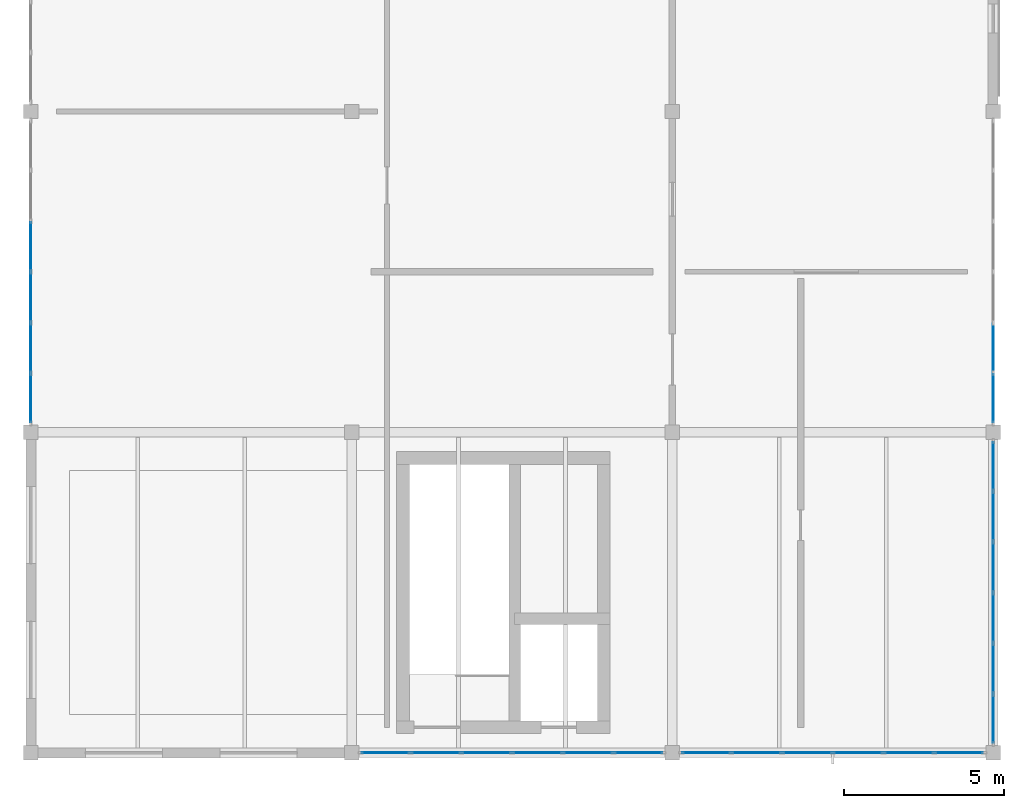
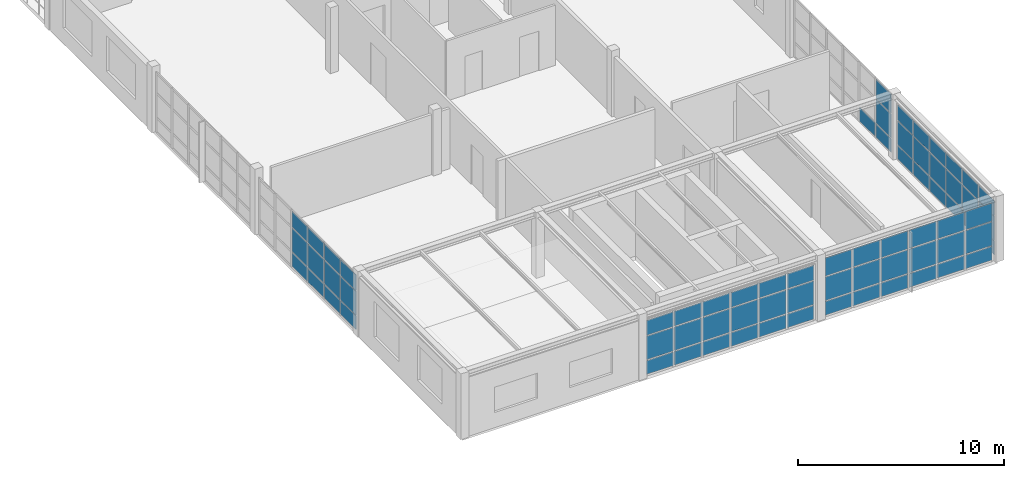
# One storey, part 7 of 11: 70 plates, 5 elements without a shape of their own.
"""IFC4 building model written with IfcOpenShell, lengths in metres."""

from ifc_helpers import new_model, si_unit, direction, frame, origin, origin_2d, place, context, subcontext, project, spatial, rectangle, extrude, material, layer, layer_set, type_object, element, aggregate, save


model = new_model("IFC4")

# Units and contexts
model_context = context("Model", 3, precision=1e-05, world=origin(), true_north=direction((0.0, 1.0)))
body_context = subcontext(model_context, "Body", "Model", "MODEL_VIEW")
ifc_project = project(units=[si_unit("LENGTHUNIT", "METRE"), si_unit("AREAUNIT", "SQUARE_METRE"), si_unit("VOLUMEUNIT", "CUBIC_METRE"), si_unit("PLANEANGLEUNIT", "RADIAN"), si_unit("MASSUNIT", "GRAM", prefix="KILO"), si_unit("THERMODYNAMICTEMPERATUREUNIT", "KELVIN"), si_unit("POWERUNIT", "WATT")], contexts=[model_context])

# Site, building, storey
site_placement = place(None, origin())
site = spatial("IfcSite", under=ifc_project, at=site_placement, CompositionType="ELEMENT")
building_placement = place(site_placement, origin())
building = spatial("IfcBuilding", under=site, at=building_placement, Name="Korenveer Ferry Terminal", CompositionType="ELEMENT")
storey_placement = place(building_placement, frame((0.0, 0.0, 18.300048828125)))
storey = spatial("IfcBuildingStorey", under=building, at=storey_placement, Name="L04", CompositionType="ELEMENT", Elevation=18.300048828125)

# Curtain wall, plates
ifc_material_1 = material(Name="Unitised bronze-and-glass curtain wall", Category="glass")
ifc_layer_1 = layer(ifc_material_1, 0.159912109375)
ifc_layer_set_1 = layer_set([ifc_layer_1], Name="Unitised bronze-and-glass curtain wall")
curtain_wall_type_1 = type_object("IfcCurtainWallType", Name="ENV-CW-129", PredefinedType="USERDEFINED", material=ifc_layer_set_1)
curtain_wall_1_placement = place(storey_placement, frame((10.2548828125, 20.0, 0.0)))
curtain_wall_1 = element("IfcCurtainWall", 1, at=curtain_wall_1_placement, inside=storey, type_object=curtain_wall_type_1, Name="Lancet curtain wall CWX-L04-X10-20-Y20-20", ObjectType="UNITISED CURTAIN WALL", PredefinedType="USERDEFINED")
ifc_material_2 = material(Name="Low-iron solar-control double glazing", Category="glass")
ifc_layer_2 = layer(ifc_material_2, 0.028076171875)
ifc_layer_set_2 = layer_set([ifc_layer_2], Name="Low-iron solar-control double glazing")
plate_type = type_object("IfcPlateType", Name="ENV-CWP-GLZ28", PredefinedType="CURTAIN_PANEL", material=ifc_layer_set_2)
plate_1_placement = place(storey_placement, frame((11.060791015625, 20.0, 0.059814453125), z_axis=(0.0, 0.0, 1.0), x_axis=(1.0, 0.0, 0.0)))
plate_1 = element("IfcPlate", 2, at=plate_1_placement, type_object=plate_type, Name="CW-129 panel 1.1", PredefinedType="CURTAIN_PANEL", context=body_context, shape_type="SweptSolid", body=[
    extrude(rectangle(XDim=1.49169921875, YDim=0.028076171875, at=origin_2d()), origin(), (0.0, 0.0, 1.0), 0.81005859375),
])
plate_2_placement = place(storey_placement, frame((11.060791015625, 20.0, 0.93017578125), z_axis=(0.0, 0.0, 1.0), x_axis=(1.0, 0.0, 0.0)))
plate_2 = element("IfcPlate", 3, at=plate_2_placement, type_object=plate_type, Name="CW-129 panel 1.2", PredefinedType="CURTAIN_PANEL", context=body_context, shape_type="SweptSolid", body=[
    extrude(rectangle(XDim=1.49169921875, YDim=0.028076171875, at=origin_2d()), origin(), (0.0, 0.0, 1.0), 1.389892578125),
])
plate_3_placement = place(storey_placement, frame((11.060791015625, 20.0, 2.3798828125), z_axis=(0.0, 0.0, 1.0), x_axis=(1.0, 0.0, 0.0)))
plate_3 = element("IfcPlate", 4, at=plate_3_placement, type_object=plate_type, Name="CW-129 panel 1.3", PredefinedType="CURTAIN_PANEL", context=body_context, shape_type="SweptSolid", body=[
    extrude(rectangle(XDim=1.49169921875, YDim=0.028076171875, at=origin_2d()), origin(), (0.0, 0.0, 1.0), 0.8701171875),
])
plate_4_placement = place(storey_placement, frame((12.62744140625, 20.0, 0.059814453125), z_axis=(0.0, 0.0, 1.0), x_axis=(1.0, 0.0, 0.0)))
plate_4 = element("IfcPlate", 5, at=plate_4_placement, type_object=plate_type, Name="CW-129 panel 2.1", PredefinedType="CURTAIN_PANEL", context=body_context, shape_type="SweptSolid", body=[
    extrude(rectangle(XDim=1.521728515625, YDim=0.028076171875, at=origin_2d()), origin(), (0.0, 0.0, 1.0), 0.81005859375),
])
plate_5_placement = place(storey_placement, frame((12.62744140625, 20.0, 0.93017578125), z_axis=(0.0, 0.0, 1.0), x_axis=(1.0, 0.0, 0.0)))
plate_5 = element("IfcPlate", 6, at=plate_5_placement, type_object=plate_type, Name="CW-129 panel 2.2", PredefinedType="CURTAIN_PANEL", context=body_context, shape_type="SweptSolid", body=[
    extrude(rectangle(XDim=1.521728515625, YDim=0.028076171875, at=origin_2d()), origin(), (0.0, 0.0, 1.0), 1.389892578125),
])
plate_6_placement = place(storey_placement, frame((12.62744140625, 20.0, 2.3798828125), z_axis=(0.0, 0.0, 1.0), x_axis=(1.0, 0.0, 0.0)))
plate_6 = element("IfcPlate", 7, at=plate_6_placement, type_object=plate_type, Name="CW-129 panel 2.3", PredefinedType="CURTAIN_PANEL", context=body_context, shape_type="SweptSolid", body=[
    extrude(rectangle(XDim=1.521728515625, YDim=0.028076171875, at=origin_2d()), origin(), (0.0, 0.0, 1.0), 0.8701171875),
])
plate_7_placement = place(storey_placement, frame((14.209228515625, 20.0, 0.059814453125), z_axis=(0.0, 0.0, 1.0), x_axis=(1.0, 0.0, 0.0)))
plate_7 = element("IfcPlate", 8, at=plate_7_placement, type_object=plate_type, Name="CW-129 panel 3.1", PredefinedType="CURTAIN_PANEL", context=body_context, shape_type="SweptSolid", body=[
    extrude(rectangle(XDim=1.521728515625, YDim=0.028076171875, at=origin_2d()), origin(), (0.0, 0.0, 1.0), 0.81005859375),
])
plate_8_placement = place(storey_placement, frame((14.209228515625, 20.0, 0.93017578125), z_axis=(0.0, 0.0, 1.0), x_axis=(1.0, 0.0, 0.0)))
plate_8 = element("IfcPlate", 9, at=plate_8_placement, type_object=plate_type, Name="CW-129 panel 3.2", PredefinedType="CURTAIN_PANEL", context=body_context, shape_type="SweptSolid", body=[
    extrude(rectangle(XDim=1.521728515625, YDim=0.028076171875, at=origin_2d()), origin(), (0.0, 0.0, 1.0), 1.389892578125),
])
plate_9_placement = place(storey_placement, frame((14.209228515625, 20.0, 2.3798828125), z_axis=(0.0, 0.0, 1.0), x_axis=(1.0, 0.0, 0.0)))
plate_9 = element("IfcPlate", 10, at=plate_9_placement, type_object=plate_type, Name="CW-129 panel 3.3", PredefinedType="CURTAIN_PANEL", context=body_context, shape_type="SweptSolid", body=[
    extrude(rectangle(XDim=1.521728515625, YDim=0.028076171875, at=origin_2d()), origin(), (0.0, 0.0, 1.0), 0.8701171875),
])
plate_10_placement = place(storey_placement, frame((15.790771484375, 20.0, 0.059814453125), z_axis=(0.0, 0.0, 1.0), x_axis=(1.0, 0.0, 0.0)))
plate_10 = element("IfcPlate", 11, at=plate_10_placement, type_object=plate_type, Name="CW-129 panel 4.1", PredefinedType="CURTAIN_PANEL", context=body_context, shape_type="SweptSolid", body=[
    extrude(rectangle(XDim=1.521728515625, YDim=0.028076171875, at=origin_2d()), origin(), (0.0, 0.0, 1.0), 0.81005859375),
])
plate_11_placement = place(storey_placement, frame((15.790771484375, 20.0, 0.93017578125), z_axis=(0.0, 0.0, 1.0), x_axis=(1.0, 0.0, 0.0)))
plate_11 = element("IfcPlate", 12, at=plate_11_placement, type_object=plate_type, Name="CW-129 panel 4.2", PredefinedType="CURTAIN_PANEL", context=body_context, shape_type="SweptSolid", body=[
    extrude(rectangle(XDim=1.521728515625, YDim=0.028076171875, at=origin_2d()), origin(), (0.0, 0.0, 1.0), 1.389892578125),
])
plate_12_placement = place(storey_placement, frame((15.790771484375, 20.0, 2.3798828125), z_axis=(0.0, 0.0, 1.0), x_axis=(1.0, 0.0, 0.0)))
plate_12 = element("IfcPlate", 13, at=plate_12_placement, type_object=plate_type, Name="CW-129 panel 4.3", PredefinedType="CURTAIN_PANEL", context=body_context, shape_type="SweptSolid", body=[
    extrude(rectangle(XDim=1.521728515625, YDim=0.028076171875, at=origin_2d()), origin(), (0.0, 0.0, 1.0), 0.8701171875),
])
plate_13_placement = place(storey_placement, frame((17.37255859375, 20.0, 0.059814453125), z_axis=(0.0, 0.0, 1.0), x_axis=(1.0, 0.0, 0.0)))
plate_13 = element("IfcPlate", 14, at=plate_13_placement, type_object=plate_type, Name="CW-129 panel 5.1", PredefinedType="CURTAIN_PANEL", context=body_context, shape_type="SweptSolid", body=[
    extrude(rectangle(XDim=1.521728515625, YDim=0.028076171875, at=origin_2d()), origin(), (0.0, 0.0, 1.0), 0.81005859375),
])
plate_14_placement = place(storey_placement, frame((17.37255859375, 20.0, 0.93017578125), z_axis=(0.0, 0.0, 1.0), x_axis=(1.0, 0.0, 0.0)))
plate_14 = element("IfcPlate", 15, at=plate_14_placement, type_object=plate_type, Name="CW-129 panel 5.2", PredefinedType="CURTAIN_PANEL", context=body_context, shape_type="SweptSolid", body=[
    extrude(rectangle(XDim=1.521728515625, YDim=0.028076171875, at=origin_2d()), origin(), (0.0, 0.0, 1.0), 1.389892578125),
])
plate_15_placement = place(storey_placement, frame((17.37255859375, 20.0, 2.3798828125), z_axis=(0.0, 0.0, 1.0), x_axis=(1.0, 0.0, 0.0)))
plate_15 = element("IfcPlate", 16, at=plate_15_placement, type_object=plate_type, Name="CW-129 panel 5.3", PredefinedType="CURTAIN_PANEL", context=body_context, shape_type="SweptSolid", body=[
    extrude(rectangle(XDim=1.521728515625, YDim=0.028076171875, at=origin_2d()), origin(), (0.0, 0.0, 1.0), 0.8701171875),
])
plate_16_placement = place(storey_placement, frame((18.939208984375, 20.0, 0.059814453125), z_axis=(0.0, 0.0, 1.0), x_axis=(1.0, 0.0, 0.0)))
plate_16 = element("IfcPlate", 17, at=plate_16_placement, type_object=plate_type, Name="CW-129 panel 6.1", PredefinedType="CURTAIN_PANEL", context=body_context, shape_type="SweptSolid", body=[
    extrude(rectangle(XDim=1.49169921875, YDim=0.028076171875, at=origin_2d()), origin(), (0.0, 0.0, 1.0), 0.81005859375),
])
plate_17_placement = place(storey_placement, frame((18.939208984375, 20.0, 0.93017578125), z_axis=(0.0, 0.0, 1.0), x_axis=(1.0, 0.0, 0.0)))
plate_17 = element("IfcPlate", 18, at=plate_17_placement, type_object=plate_type, Name="CW-129 panel 6.2", PredefinedType="CURTAIN_PANEL", context=body_context, shape_type="SweptSolid", body=[
    extrude(rectangle(XDim=1.49169921875, YDim=0.028076171875, at=origin_2d()), origin(), (0.0, 0.0, 1.0), 1.389892578125),
])
plate_18_placement = place(storey_placement, frame((18.939208984375, 20.0, 2.3798828125), z_axis=(0.0, 0.0, 1.0), x_axis=(1.0, 0.0, 0.0)))
plate_18 = element("IfcPlate", 19, at=plate_18_placement, type_object=plate_type, Name="CW-129 panel 6.3", PredefinedType="CURTAIN_PANEL", context=body_context, shape_type="SweptSolid", body=[
    extrude(rectangle(XDim=1.49169921875, YDim=0.028076171875, at=origin_2d()), origin(), (0.0, 0.0, 1.0), 0.8701171875),
])
aggregate(curtain_wall_1, [plate_1, plate_2, plate_3, plate_4, plate_5, plate_6, plate_7, plate_8, plate_9, plate_10, plate_11, plate_12, plate_13, plate_14, plate_15, plate_16, plate_17, plate_18])

ifc_layer_3 = layer(ifc_material_1, 0.159912109375)
ifc_layer_set_3 = layer_set([ifc_layer_3], Name="Unitised bronze-and-glass curtain wall")
curtain_wall_type_2 = type_object("IfcCurtainWallType", Name="ENV-CW-130", PredefinedType="USERDEFINED", material=ifc_layer_set_3)
curtain_wall_2_placement = place(storey_placement, frame((20.2548828125, 20.0, 0.0)))
curtain_wall_2 = element("IfcCurtainWall", 20, at=curtain_wall_2_placement, inside=storey, type_object=curtain_wall_type_2, Name="Lancet curtain wall CWX-L04-X20-30-Y20-20", ObjectType="UNITISED CURTAIN WALL", PredefinedType="USERDEFINED")
plate_19_placement = place(storey_placement, frame((21.060791015625, 20.0, 0.059814453125), z_axis=(0.0, 0.0, 1.0), x_axis=(1.0, 0.0, 0.0)))
plate_19 = element("IfcPlate", 21, at=plate_19_placement, type_object=plate_type, Name="CW-130 panel 1.1", PredefinedType="CURTAIN_PANEL", context=body_context, shape_type="SweptSolid", body=[
    extrude(rectangle(XDim=1.49169921875, YDim=0.028076171875, at=origin_2d()), origin(), (0.0, 0.0, 1.0), 0.81005859375),
])
plate_20_placement = place(storey_placement, frame((21.060791015625, 20.0, 0.93017578125), z_axis=(0.0, 0.0, 1.0), x_axis=(1.0, 0.0, 0.0)))
plate_20 = element("IfcPlate", 22, at=plate_20_placement, type_object=plate_type, Name="CW-130 panel 1.2", PredefinedType="CURTAIN_PANEL", context=body_context, shape_type="SweptSolid", body=[
    extrude(rectangle(XDim=1.49169921875, YDim=0.028076171875, at=origin_2d()), origin(), (0.0, 0.0, 1.0), 1.389892578125),
])
plate_21_placement = place(storey_placement, frame((21.060791015625, 20.0, 2.3798828125), z_axis=(0.0, 0.0, 1.0), x_axis=(1.0, 0.0, 0.0)))
plate_21 = element("IfcPlate", 23, at=plate_21_placement, type_object=plate_type, Name="CW-130 panel 1.3", PredefinedType="CURTAIN_PANEL", context=body_context, shape_type="SweptSolid", body=[
    extrude(rectangle(XDim=1.49169921875, YDim=0.028076171875, at=origin_2d()), origin(), (0.0, 0.0, 1.0), 1.070068359375),
])
plate_22_placement = place(storey_placement, frame((22.62744140625, 20.0, 0.059814453125), z_axis=(0.0, 0.0, 1.0), x_axis=(1.0, 0.0, 0.0)))
plate_22 = element("IfcPlate", 24, at=plate_22_placement, type_object=plate_type, Name="CW-130 panel 2.1", PredefinedType="CURTAIN_PANEL", context=body_context, shape_type="SweptSolid", body=[
    extrude(rectangle(XDim=1.521728515625, YDim=0.028076171875, at=origin_2d()), origin(), (0.0, 0.0, 1.0), 0.81005859375),
])
plate_23_placement = place(storey_placement, frame((22.62744140625, 20.0, 0.93017578125), z_axis=(0.0, 0.0, 1.0), x_axis=(1.0, 0.0, 0.0)))
plate_23 = element("IfcPlate", 25, at=plate_23_placement, type_object=plate_type, Name="CW-130 panel 2.2", PredefinedType="CURTAIN_PANEL", context=body_context, shape_type="SweptSolid", body=[
    extrude(rectangle(XDim=1.521728515625, YDim=0.028076171875, at=origin_2d()), origin(), (0.0, 0.0, 1.0), 1.389892578125),
])
plate_24_placement = place(storey_placement, frame((22.62744140625, 20.0, 2.3798828125), z_axis=(0.0, 0.0, 1.0), x_axis=(1.0, 0.0, 0.0)))
plate_24 = element("IfcPlate", 26, at=plate_24_placement, type_object=plate_type, Name="CW-130 panel 2.3", PredefinedType="CURTAIN_PANEL", context=body_context, shape_type="SweptSolid", body=[
    extrude(rectangle(XDim=1.521728515625, YDim=0.028076171875, at=origin_2d()), origin(), (0.0, 0.0, 1.0), 1.070068359375),
])
plate_25_placement = place(storey_placement, frame((24.209228515625, 20.0, 0.059814453125), z_axis=(0.0, 0.0, 1.0), x_axis=(1.0, 0.0, 0.0)))
plate_25 = element("IfcPlate", 27, at=plate_25_placement, type_object=plate_type, Name="CW-130 panel 3.1", PredefinedType="CURTAIN_PANEL", context=body_context, shape_type="SweptSolid", body=[
    extrude(rectangle(XDim=1.521728515625, YDim=0.028076171875, at=origin_2d()), origin(), (0.0, 0.0, 1.0), 0.81005859375),
])
plate_26_placement = place(storey_placement, frame((24.209228515625, 20.0, 0.93017578125), z_axis=(0.0, 0.0, 1.0), x_axis=(1.0, 0.0, 0.0)))
plate_26 = element("IfcPlate", 28, at=plate_26_placement, type_object=plate_type, Name="CW-130 panel 3.2", PredefinedType="CURTAIN_PANEL", context=body_context, shape_type="SweptSolid", body=[
    extrude(rectangle(XDim=1.521728515625, YDim=0.028076171875, at=origin_2d()), origin(), (0.0, 0.0, 1.0), 1.389892578125),
])
plate_27_placement = place(storey_placement, frame((24.209228515625, 20.0, 2.3798828125), z_axis=(0.0, 0.0, 1.0), x_axis=(1.0, 0.0, 0.0)))
plate_27 = element("IfcPlate", 29, at=plate_27_placement, type_object=plate_type, Name="CW-130 panel 3.3", PredefinedType="CURTAIN_PANEL", context=body_context, shape_type="SweptSolid", body=[
    extrude(rectangle(XDim=1.521728515625, YDim=0.028076171875, at=origin_2d()), origin(), (0.0, 0.0, 1.0), 1.070068359375),
])
plate_28_placement = place(storey_placement, frame((25.790771484375, 20.0, 0.059814453125), z_axis=(0.0, 0.0, 1.0), x_axis=(1.0, 0.0, 0.0)))
plate_28 = element("IfcPlate", 30, at=plate_28_placement, type_object=plate_type, Name="CW-130 panel 4.1", PredefinedType="CURTAIN_PANEL", context=body_context, shape_type="SweptSolid", body=[
    extrude(rectangle(XDim=1.521728515625, YDim=0.028076171875, at=origin_2d()), origin(), (0.0, 0.0, 1.0), 0.81005859375),
])
plate_29_placement = place(storey_placement, frame((25.790771484375, 20.0, 0.93017578125), z_axis=(0.0, 0.0, 1.0), x_axis=(1.0, 0.0, 0.0)))
plate_29 = element("IfcPlate", 31, at=plate_29_placement, type_object=plate_type, Name="CW-130 panel 4.2", PredefinedType="CURTAIN_PANEL", context=body_context, shape_type="SweptSolid", body=[
    extrude(rectangle(XDim=1.521728515625, YDim=0.028076171875, at=origin_2d()), origin(), (0.0, 0.0, 1.0), 1.389892578125),
])
plate_30_placement = place(storey_placement, frame((25.790771484375, 20.0, 2.3798828125), z_axis=(0.0, 0.0, 1.0), x_axis=(1.0, 0.0, 0.0)))
plate_30 = element("IfcPlate", 32, at=plate_30_placement, type_object=plate_type, Name="CW-130 panel 4.3", PredefinedType="CURTAIN_PANEL", context=body_context, shape_type="SweptSolid", body=[
    extrude(rectangle(XDim=1.521728515625, YDim=0.028076171875, at=origin_2d()), origin(), (0.0, 0.0, 1.0), 1.070068359375),
])
plate_31_placement = place(storey_placement, frame((27.37255859375, 20.0, 0.059814453125), z_axis=(0.0, 0.0, 1.0), x_axis=(1.0, 0.0, 0.0)))
plate_31 = element("IfcPlate", 33, at=plate_31_placement, type_object=plate_type, Name="CW-130 panel 5.1", PredefinedType="CURTAIN_PANEL", context=body_context, shape_type="SweptSolid", body=[
    extrude(rectangle(XDim=1.521728515625, YDim=0.028076171875, at=origin_2d()), origin(), (0.0, 0.0, 1.0), 0.81005859375),
])
plate_32_placement = place(storey_placement, frame((27.37255859375, 20.0, 0.93017578125), z_axis=(0.0, 0.0, 1.0), x_axis=(1.0, 0.0, 0.0)))
plate_32 = element("IfcPlate", 34, at=plate_32_placement, type_object=plate_type, Name="CW-130 panel 5.2", PredefinedType="CURTAIN_PANEL", context=body_context, shape_type="SweptSolid", body=[
    extrude(rectangle(XDim=1.521728515625, YDim=0.028076171875, at=origin_2d()), origin(), (0.0, 0.0, 1.0), 1.389892578125),
])
plate_33_placement = place(storey_placement, frame((27.37255859375, 20.0, 2.3798828125), z_axis=(0.0, 0.0, 1.0), x_axis=(1.0, 0.0, 0.0)))
plate_33 = element("IfcPlate", 35, at=plate_33_placement, type_object=plate_type, Name="CW-130 panel 5.3", PredefinedType="CURTAIN_PANEL", context=body_context, shape_type="SweptSolid", body=[
    extrude(rectangle(XDim=1.521728515625, YDim=0.028076171875, at=origin_2d()), origin(), (0.0, 0.0, 1.0), 1.070068359375),
])
plate_34_placement = place(storey_placement, frame((28.939208984375, 20.0, 0.059814453125), z_axis=(0.0, 0.0, 1.0), x_axis=(1.0, 0.0, 0.0)))
plate_34 = element("IfcPlate", 36, at=plate_34_placement, type_object=plate_type, Name="CW-130 panel 6.1", PredefinedType="CURTAIN_PANEL", context=body_context, shape_type="SweptSolid", body=[
    extrude(rectangle(XDim=1.49169921875, YDim=0.028076171875, at=origin_2d()), origin(), (0.0, 0.0, 1.0), 0.81005859375),
])
plate_35_placement = place(storey_placement, frame((28.939208984375, 20.0, 0.93017578125), z_axis=(0.0, 0.0, 1.0), x_axis=(1.0, 0.0, 0.0)))
plate_35 = element("IfcPlate", 37, at=plate_35_placement, type_object=plate_type, Name="CW-130 panel 6.2", PredefinedType="CURTAIN_PANEL", context=body_context, shape_type="SweptSolid", body=[
    extrude(rectangle(XDim=1.49169921875, YDim=0.028076171875, at=origin_2d()), origin(), (0.0, 0.0, 1.0), 1.389892578125),
])
plate_36_placement = place(storey_placement, frame((28.939208984375, 20.0, 2.3798828125), z_axis=(0.0, 0.0, 1.0), x_axis=(1.0, 0.0, 0.0)))
plate_36 = element("IfcPlate", 38, at=plate_36_placement, type_object=plate_type, Name="CW-130 panel 6.3", PredefinedType="CURTAIN_PANEL", context=body_context, shape_type="SweptSolid", body=[
    extrude(rectangle(XDim=1.49169921875, YDim=0.028076171875, at=origin_2d()), origin(), (0.0, 0.0, 1.0), 1.070068359375),
])
aggregate(curtain_wall_2, [plate_19, plate_20, plate_21, plate_22, plate_23, plate_24, plate_25, plate_26, plate_27, plate_28, plate_29, plate_30, plate_31, plate_32, plate_33, plate_34, plate_35, plate_36])

ifc_layer_4 = layer(ifc_material_1, 0.159912109375)
ifc_layer_set_4 = layer_set([ifc_layer_4], Name="Unitised bronze-and-glass curtain wall")
curtain_wall_type_3 = type_object("IfcCurtainWallType", Name="ENV-CW-131", PredefinedType="USERDEFINED", material=ifc_layer_set_4)
curtain_wall_3_placement = place(storey_placement, frame((0.0, 30.2548828125, 0.0)))
curtain_wall_3 = element("IfcCurtainWall", 39, at=curtain_wall_3_placement, inside=storey, type_object=curtain_wall_type_3, Name="Lancet curtain wall CWX-L04-X0-0-Y30-40", ObjectType="UNITISED CURTAIN WALL", PredefinedType="USERDEFINED")
plate_37_placement = place(storey_placement, frame((0.0, 31.060791015625, 0.059814453125), z_axis=(0.0, 0.0, 1.0), x_axis=(0.0, 1.0, 0.0)))
plate_37 = element("IfcPlate", 40, at=plate_37_placement, type_object=plate_type, Name="CW-131 panel 1.1", PredefinedType="CURTAIN_PANEL", context=body_context, shape_type="SweptSolid", body=[
    extrude(rectangle(XDim=1.49169921875, YDim=0.028076171875, at=origin_2d()), origin(), (0.0, 0.0, 1.0), 0.81005859375),
])
plate_38_placement = place(storey_placement, frame((0.0, 31.060791015625, 0.93017578125), z_axis=(0.0, 0.0, 1.0), x_axis=(0.0, 1.0, 0.0)))
plate_38 = element("IfcPlate", 41, at=plate_38_placement, type_object=plate_type, Name="CW-131 panel 1.2", PredefinedType="CURTAIN_PANEL", context=body_context, shape_type="SweptSolid", body=[
    extrude(rectangle(XDim=1.49169921875, YDim=0.028076171875, at=origin_2d()), origin(), (0.0, 0.0, 1.0), 1.389892578125),
])
plate_39_placement = place(storey_placement, frame((0.0, 31.060791015625, 2.3798828125), z_axis=(0.0, 0.0, 1.0), x_axis=(0.0, 1.0, 0.0)))
plate_39 = element("IfcPlate", 42, at=plate_39_placement, type_object=plate_type, Name="CW-131 panel 1.3", PredefinedType="CURTAIN_PANEL", context=body_context, shape_type="SweptSolid", body=[
    extrude(rectangle(XDim=1.49169921875, YDim=0.028076171875, at=origin_2d()), origin(), (0.0, 0.0, 1.0), 0.919921875),
])
plate_40_placement = place(storey_placement, frame((0.0, 32.62744140625, 0.059814453125), z_axis=(0.0, 0.0, 1.0), x_axis=(0.0, 1.0, 0.0)))
plate_40 = element("IfcPlate", 43, at=plate_40_placement, type_object=plate_type, Name="CW-131 panel 2.1", PredefinedType="CURTAIN_PANEL", context=body_context, shape_type="SweptSolid", body=[
    extrude(rectangle(XDim=1.521728515625, YDim=0.028076171875, at=origin_2d()), origin(), (0.0, 0.0, 1.0), 0.81005859375),
])
plate_41_placement = place(storey_placement, frame((0.0, 32.62744140625, 0.93017578125), z_axis=(0.0, 0.0, 1.0), x_axis=(0.0, 1.0, 0.0)))
plate_41 = element("IfcPlate", 44, at=plate_41_placement, type_object=plate_type, Name="CW-131 panel 2.2", PredefinedType="CURTAIN_PANEL", context=body_context, shape_type="SweptSolid", body=[
    extrude(rectangle(XDim=1.521728515625, YDim=0.028076171875, at=origin_2d()), origin(), (0.0, 0.0, 1.0), 1.389892578125),
])
plate_42_placement = place(storey_placement, frame((0.0, 32.62744140625, 2.3798828125), z_axis=(0.0, 0.0, 1.0), x_axis=(0.0, 1.0, 0.0)))
plate_42 = element("IfcPlate", 45, at=plate_42_placement, type_object=plate_type, Name="CW-131 panel 2.3", PredefinedType="CURTAIN_PANEL", context=body_context, shape_type="SweptSolid", body=[
    extrude(rectangle(XDim=1.521728515625, YDim=0.028076171875, at=origin_2d()), origin(), (0.0, 0.0, 1.0), 0.919921875),
])
plate_43_placement = place(storey_placement, frame((0.0, 34.209228515625, 0.059814453125), z_axis=(0.0, 0.0, 1.0), x_axis=(0.0, 1.0, 0.0)))
plate_43 = element("IfcPlate", 46, at=plate_43_placement, type_object=plate_type, Name="CW-131 panel 3.1", PredefinedType="CURTAIN_PANEL", context=body_context, shape_type="SweptSolid", body=[
    extrude(rectangle(XDim=1.521728515625, YDim=0.028076171875, at=origin_2d()), origin(), (0.0, 0.0, 1.0), 0.81005859375),
])
plate_44_placement = place(storey_placement, frame((0.0, 34.209228515625, 0.93017578125), z_axis=(0.0, 0.0, 1.0), x_axis=(0.0, 1.0, 0.0)))
plate_44 = element("IfcPlate", 47, at=plate_44_placement, type_object=plate_type, Name="CW-131 panel 3.2", PredefinedType="CURTAIN_PANEL", context=body_context, shape_type="SweptSolid", body=[
    extrude(rectangle(XDim=1.521728515625, YDim=0.028076171875, at=origin_2d()), origin(), (0.0, 0.0, 1.0), 1.389892578125),
])
plate_45_placement = place(storey_placement, frame((0.0, 34.209228515625, 2.3798828125), z_axis=(0.0, 0.0, 1.0), x_axis=(0.0, 1.0, 0.0)))
plate_45 = element("IfcPlate", 48, at=plate_45_placement, type_object=plate_type, Name="CW-131 panel 3.3", PredefinedType="CURTAIN_PANEL", context=body_context, shape_type="SweptSolid", body=[
    extrude(rectangle(XDim=1.521728515625, YDim=0.028076171875, at=origin_2d()), origin(), (0.0, 0.0, 1.0), 0.919921875),
])
plate_46_placement = place(storey_placement, frame((0.0, 35.790771484375, 0.059814453125), z_axis=(0.0, 0.0, 1.0), x_axis=(0.0, 1.0, 0.0)))
plate_46 = element("IfcPlate", 49, at=plate_46_placement, type_object=plate_type, Name="CW-131 panel 4.1", PredefinedType="CURTAIN_PANEL", context=body_context, shape_type="SweptSolid", body=[
    extrude(rectangle(XDim=1.521728515625, YDim=0.028076171875, at=origin_2d()), origin(), (0.0, 0.0, 1.0), 0.81005859375),
])
plate_47_placement = place(storey_placement, frame((0.0, 35.790771484375, 0.93017578125), z_axis=(0.0, 0.0, 1.0), x_axis=(0.0, 1.0, 0.0)))
plate_47 = element("IfcPlate", 50, at=plate_47_placement, type_object=plate_type, Name="CW-131 panel 4.2", PredefinedType="CURTAIN_PANEL", context=body_context, shape_type="SweptSolid", body=[
    extrude(rectangle(XDim=1.521728515625, YDim=0.028076171875, at=origin_2d()), origin(), (0.0, 0.0, 1.0), 1.389892578125),
])
plate_48_placement = place(storey_placement, frame((0.0, 35.790771484375, 2.3798828125), z_axis=(0.0, 0.0, 1.0), x_axis=(0.0, 1.0, 0.0)))
plate_48 = element("IfcPlate", 51, at=plate_48_placement, type_object=plate_type, Name="CW-131 panel 4.3", PredefinedType="CURTAIN_PANEL", context=body_context, shape_type="SweptSolid", body=[
    extrude(rectangle(XDim=1.521728515625, YDim=0.028076171875, at=origin_2d()), origin(), (0.0, 0.0, 1.0), 0.919921875),
])
aggregate(curtain_wall_3, [plate_37, plate_38, plate_39, plate_40, plate_41, plate_42, plate_43, plate_44, plate_45, plate_46, plate_47, plate_48])

curtain_wall_4_placement = place(storey_placement, frame((30.0, 29.7451171875, 0.0)))
curtain_wall_4 = element("IfcCurtainWall", 52, at=curtain_wall_4_placement, inside=storey, type_object=curtain_wall_type_1, Name="Lancet curtain wall CWX-L04-X30-30-Y20-30", ObjectType="UNITISED CURTAIN WALL", PredefinedType="USERDEFINED")
plate_49_placement = place(storey_placement, frame((30.0, 28.939208984375, 0.059814453125), z_axis=(0.0, 0.0, 1.0), x_axis=(0.0, -1.0, 0.0)))
plate_49 = element("IfcPlate", 53, at=plate_49_placement, type_object=plate_type, Name="CW-129 panel 1.1", PredefinedType="CURTAIN_PANEL", context=body_context, shape_type="SweptSolid", body=[
    extrude(rectangle(XDim=1.49169921875, YDim=0.028076171875, at=origin_2d()), origin(), (0.0, 0.0, 1.0), 0.81005859375),
])
plate_50_placement = place(storey_placement, frame((30.0, 28.939208984375, 0.93017578125), z_axis=(0.0, 0.0, 1.0), x_axis=(0.0, -1.0, 0.0)))
plate_50 = element("IfcPlate", 54, at=plate_50_placement, type_object=plate_type, Name="CW-129 panel 1.2", PredefinedType="CURTAIN_PANEL", context=body_context, shape_type="SweptSolid", body=[
    extrude(rectangle(XDim=1.49169921875, YDim=0.028076171875, at=origin_2d()), origin(), (0.0, 0.0, 1.0), 1.389892578125),
])
plate_51_placement = place(storey_placement, frame((30.0, 28.939208984375, 2.3798828125), z_axis=(0.0, 0.0, 1.0), x_axis=(0.0, -1.0, 0.0)))
plate_51 = element("IfcPlate", 55, at=plate_51_placement, type_object=plate_type, Name="CW-129 panel 1.3", PredefinedType="CURTAIN_PANEL", context=body_context, shape_type="SweptSolid", body=[
    extrude(rectangle(XDim=1.49169921875, YDim=0.028076171875, at=origin_2d()), origin(), (0.0, 0.0, 1.0), 0.8701171875),
])
plate_52_placement = place(storey_placement, frame((30.0, 27.37255859375, 0.059814453125), z_axis=(0.0, 0.0, 1.0), x_axis=(0.0, -1.0, 0.0)))
plate_52 = element("IfcPlate", 56, at=plate_52_placement, type_object=plate_type, Name="CW-129 panel 2.1", PredefinedType="CURTAIN_PANEL", context=body_context, shape_type="SweptSolid", body=[
    extrude(rectangle(XDim=1.521728515625, YDim=0.028076171875, at=origin_2d()), origin(), (0.0, 0.0, 1.0), 0.81005859375),
])
plate_53_placement = place(storey_placement, frame((30.0, 27.37255859375, 0.93017578125), z_axis=(0.0, 0.0, 1.0), x_axis=(0.0, -1.0, 0.0)))
plate_53 = element("IfcPlate", 57, at=plate_53_placement, type_object=plate_type, Name="CW-129 panel 2.2", PredefinedType="CURTAIN_PANEL", context=body_context, shape_type="SweptSolid", body=[
    extrude(rectangle(XDim=1.521728515625, YDim=0.028076171875, at=origin_2d()), origin(), (0.0, 0.0, 1.0), 1.389892578125),
])
plate_54_placement = place(storey_placement, frame((30.0, 27.37255859375, 2.3798828125), z_axis=(0.0, 0.0, 1.0), x_axis=(0.0, -1.0, 0.0)))
plate_54 = element("IfcPlate", 58, at=plate_54_placement, type_object=plate_type, Name="CW-129 panel 2.3", PredefinedType="CURTAIN_PANEL", context=body_context, shape_type="SweptSolid", body=[
    extrude(rectangle(XDim=1.521728515625, YDim=0.028076171875, at=origin_2d()), origin(), (0.0, 0.0, 1.0), 0.8701171875),
])
plate_55_placement = place(storey_placement, frame((30.0, 25.790771484375, 0.059814453125), z_axis=(0.0, 0.0, 1.0), x_axis=(0.0, -1.0, 0.0)))
plate_55 = element("IfcPlate", 59, at=plate_55_placement, type_object=plate_type, Name="CW-129 panel 3.1", PredefinedType="CURTAIN_PANEL", context=body_context, shape_type="SweptSolid", body=[
    extrude(rectangle(XDim=1.521728515625, YDim=0.028076171875, at=origin_2d()), origin(), (0.0, 0.0, 1.0), 0.81005859375),
])
plate_56_placement = place(storey_placement, frame((30.0, 25.790771484375, 0.93017578125), z_axis=(0.0, 0.0, 1.0), x_axis=(0.0, -1.0, 0.0)))
plate_56 = element("IfcPlate", 60, at=plate_56_placement, type_object=plate_type, Name="CW-129 panel 3.2", PredefinedType="CURTAIN_PANEL", context=body_context, shape_type="SweptSolid", body=[
    extrude(rectangle(XDim=1.521728515625, YDim=0.028076171875, at=origin_2d()), origin(), (0.0, 0.0, 1.0), 1.389892578125),
])
plate_57_placement = place(storey_placement, frame((30.0, 25.790771484375, 2.3798828125), z_axis=(0.0, 0.0, 1.0), x_axis=(0.0, -1.0, 0.0)))
plate_57 = element("IfcPlate", 61, at=plate_57_placement, type_object=plate_type, Name="CW-129 panel 3.3", PredefinedType="CURTAIN_PANEL", context=body_context, shape_type="SweptSolid", body=[
    extrude(rectangle(XDim=1.521728515625, YDim=0.028076171875, at=origin_2d()), origin(), (0.0, 0.0, 1.0), 0.8701171875),
])
plate_58_placement = place(storey_placement, frame((30.0, 24.209228515625, 0.059814453125), z_axis=(0.0, 0.0, 1.0), x_axis=(0.0, -1.0, 0.0)))
plate_58 = element("IfcPlate", 62, at=plate_58_placement, type_object=plate_type, Name="CW-129 panel 4.1", PredefinedType="CURTAIN_PANEL", context=body_context, shape_type="SweptSolid", body=[
    extrude(rectangle(XDim=1.521728515625, YDim=0.028076171875, at=origin_2d()), origin(), (0.0, 0.0, 1.0), 0.81005859375),
])
plate_59_placement = place(storey_placement, frame((30.0, 24.209228515625, 0.93017578125), z_axis=(0.0, 0.0, 1.0), x_axis=(0.0, -1.0, 0.0)))
plate_59 = element("IfcPlate", 63, at=plate_59_placement, type_object=plate_type, Name="CW-129 panel 4.2", PredefinedType="CURTAIN_PANEL", context=body_context, shape_type="SweptSolid", body=[
    extrude(rectangle(XDim=1.521728515625, YDim=0.028076171875, at=origin_2d()), origin(), (0.0, 0.0, 1.0), 1.389892578125),
])
plate_60_placement = place(storey_placement, frame((30.0, 24.209228515625, 2.3798828125), z_axis=(0.0, 0.0, 1.0), x_axis=(0.0, -1.0, 0.0)))
plate_60 = element("IfcPlate", 64, at=plate_60_placement, type_object=plate_type, Name="CW-129 panel 4.3", PredefinedType="CURTAIN_PANEL", context=body_context, shape_type="SweptSolid", body=[
    extrude(rectangle(XDim=1.521728515625, YDim=0.028076171875, at=origin_2d()), origin(), (0.0, 0.0, 1.0), 0.8701171875),
])
plate_61_placement = place(storey_placement, frame((30.0, 22.62744140625, 0.059814453125), z_axis=(0.0, 0.0, 1.0), x_axis=(0.0, -1.0, 0.0)))
plate_61 = element("IfcPlate", 65, at=plate_61_placement, type_object=plate_type, Name="CW-129 panel 5.1", PredefinedType="CURTAIN_PANEL", context=body_context, shape_type="SweptSolid", body=[
    extrude(rectangle(XDim=1.521728515625, YDim=0.028076171875, at=origin_2d()), origin(), (0.0, 0.0, 1.0), 0.81005859375),
])
plate_62_placement = place(storey_placement, frame((30.0, 22.62744140625, 0.93017578125), z_axis=(0.0, 0.0, 1.0), x_axis=(0.0, -1.0, 0.0)))
plate_62 = element("IfcPlate", 66, at=plate_62_placement, type_object=plate_type, Name="CW-129 panel 5.2", PredefinedType="CURTAIN_PANEL", context=body_context, shape_type="SweptSolid", body=[
    extrude(rectangle(XDim=1.521728515625, YDim=0.028076171875, at=origin_2d()), origin(), (0.0, 0.0, 1.0), 1.389892578125),
])
plate_63_placement = place(storey_placement, frame((30.0, 22.62744140625, 2.3798828125), z_axis=(0.0, 0.0, 1.0), x_axis=(0.0, -1.0, 0.0)))
plate_63 = element("IfcPlate", 67, at=plate_63_placement, type_object=plate_type, Name="CW-129 panel 5.3", PredefinedType="CURTAIN_PANEL", context=body_context, shape_type="SweptSolid", body=[
    extrude(rectangle(XDim=1.521728515625, YDim=0.028076171875, at=origin_2d()), origin(), (0.0, 0.0, 1.0), 0.8701171875),
])
plate_64_placement = place(storey_placement, frame((30.0, 21.060791015625, 0.059814453125), z_axis=(0.0, 0.0, 1.0), x_axis=(0.0, -1.0, 0.0)))
plate_64 = element("IfcPlate", 68, at=plate_64_placement, type_object=plate_type, Name="CW-129 panel 6.1", PredefinedType="CURTAIN_PANEL", context=body_context, shape_type="SweptSolid", body=[
    extrude(rectangle(XDim=1.49169921875, YDim=0.028076171875, at=origin_2d()), origin(), (0.0, 0.0, 1.0), 0.81005859375),
])
plate_65_placement = place(storey_placement, frame((30.0, 21.060791015625, 0.93017578125), z_axis=(0.0, 0.0, 1.0), x_axis=(0.0, -1.0, 0.0)))
plate_65 = element("IfcPlate", 69, at=plate_65_placement, type_object=plate_type, Name="CW-129 panel 6.2", PredefinedType="CURTAIN_PANEL", context=body_context, shape_type="SweptSolid", body=[
    extrude(rectangle(XDim=1.49169921875, YDim=0.028076171875, at=origin_2d()), origin(), (0.0, 0.0, 1.0), 1.389892578125),
])
plate_66_placement = place(storey_placement, frame((30.0, 21.060791015625, 2.3798828125), z_axis=(0.0, 0.0, 1.0), x_axis=(0.0, -1.0, 0.0)))
plate_66 = element("IfcPlate", 70, at=plate_66_placement, type_object=plate_type, Name="CW-129 panel 6.3", PredefinedType="CURTAIN_PANEL", context=body_context, shape_type="SweptSolid", body=[
    extrude(rectangle(XDim=1.49169921875, YDim=0.028076171875, at=origin_2d()), origin(), (0.0, 0.0, 1.0), 0.8701171875),
])
aggregate(curtain_wall_4, [plate_49, plate_50, plate_51, plate_52, plate_53, plate_54, plate_55, plate_56, plate_57, plate_58, plate_59, plate_60, plate_61, plate_62, plate_63, plate_64, plate_65, plate_66])

ifc_layer_5 = layer(ifc_material_1, 0.159912109375)
ifc_layer_set_5 = layer_set([ifc_layer_5], Name="Unitised bronze-and-glass curtain wall")
curtain_wall_type_4 = type_object("IfcCurtainWallType", Name="ENV-CW-132", PredefinedType="USERDEFINED", material=ifc_layer_set_5)
curtain_wall_5_placement = place(storey_placement, frame((30.0, 39.7451171875, 0.0)))
curtain_wall_5 = element("IfcCurtainWall", 71, at=curtain_wall_5_placement, inside=storey, type_object=curtain_wall_type_4, Name="Lancet curtain wall CWX-L04-X30-30-Y30-40", ObjectType="UNITISED CURTAIN WALL", PredefinedType="USERDEFINED")
plate_67_placement = place(storey_placement, frame((30.0, 32.62744140625, 0.059814453125), z_axis=(0.0, 0.0, 1.0), x_axis=(0.0, -1.0, 0.0)))
plate_67 = element("IfcPlate", 72, at=plate_67_placement, type_object=plate_type, Name="CW-132 panel 5.1", PredefinedType="CURTAIN_PANEL", context=body_context, shape_type="SweptSolid", body=[
    extrude(rectangle(XDim=1.521728515625, YDim=0.028076171875, at=origin_2d()), origin(), (0.0, 0.0, 1.0), 0.81005859375),
])
plate_68_placement = place(storey_placement, frame((30.0, 31.060791015625, 0.059814453125), z_axis=(0.0, 0.0, 1.0), x_axis=(0.0, -1.0, 0.0)))
plate_68 = element("IfcPlate", 73, at=plate_68_placement, type_object=plate_type, Name="CW-132 panel 6.1", PredefinedType="CURTAIN_PANEL", context=body_context, shape_type="SweptSolid", body=[
    extrude(rectangle(XDim=1.49169921875, YDim=0.028076171875, at=origin_2d()), origin(), (0.0, 0.0, 1.0), 0.81005859375),
])
plate_69_placement = place(storey_placement, frame((30.0, 31.060791015625, 0.93017578125), z_axis=(0.0, 0.0, 1.0), x_axis=(0.0, -1.0, 0.0)))
plate_69 = element("IfcPlate", 74, at=plate_69_placement, type_object=plate_type, Name="CW-132 panel 6.2", PredefinedType="CURTAIN_PANEL", context=body_context, shape_type="SweptSolid", body=[
    extrude(rectangle(XDim=1.49169921875, YDim=0.028076171875, at=origin_2d()), origin(), (0.0, 0.0, 1.0), 1.389892578125),
])
plate_70_placement = place(storey_placement, frame((30.0, 31.060791015625, 2.3798828125), z_axis=(0.0, 0.0, 1.0), x_axis=(0.0, -1.0, 0.0)))
plate_70 = element("IfcPlate", 75, at=plate_70_placement, type_object=plate_type, Name="CW-132 panel 6.3", PredefinedType="CURTAIN_PANEL", context=body_context, shape_type="SweptSolid", body=[
    extrude(rectangle(XDim=1.49169921875, YDim=0.028076171875, at=origin_2d()), origin(), (0.0, 0.0, 1.0), 1.1201171875),
])
aggregate(curtain_wall_5, [plate_67, plate_68, plate_69, plate_70])

save(model, "model.ifc")
